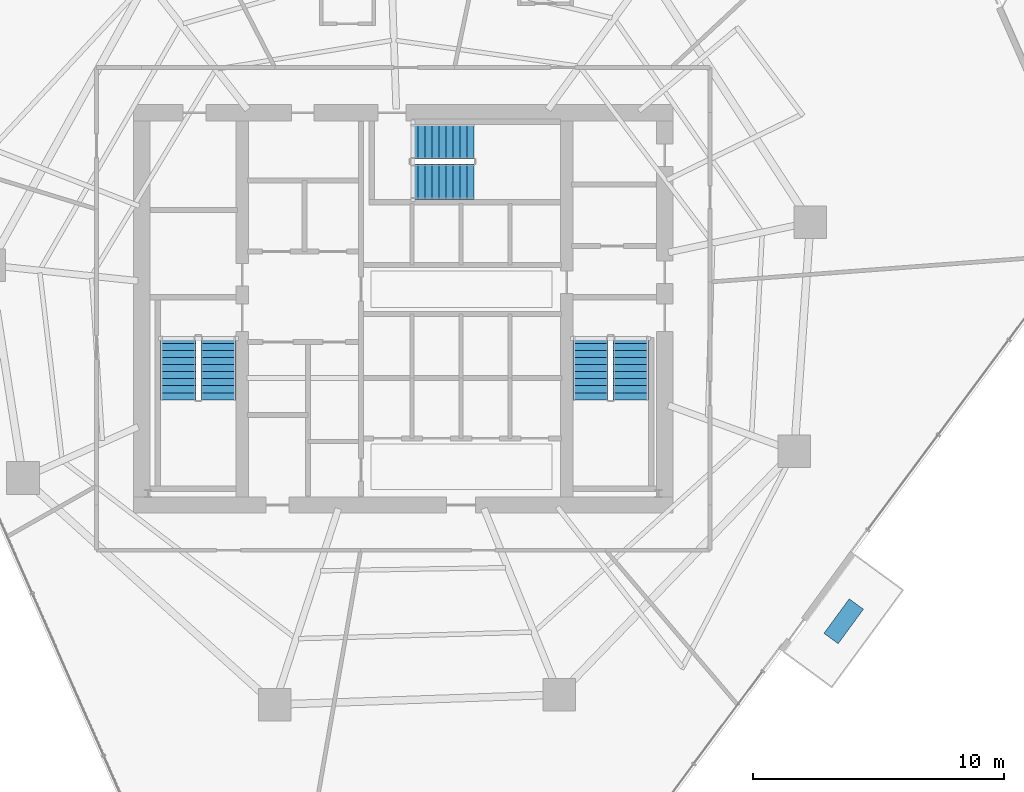
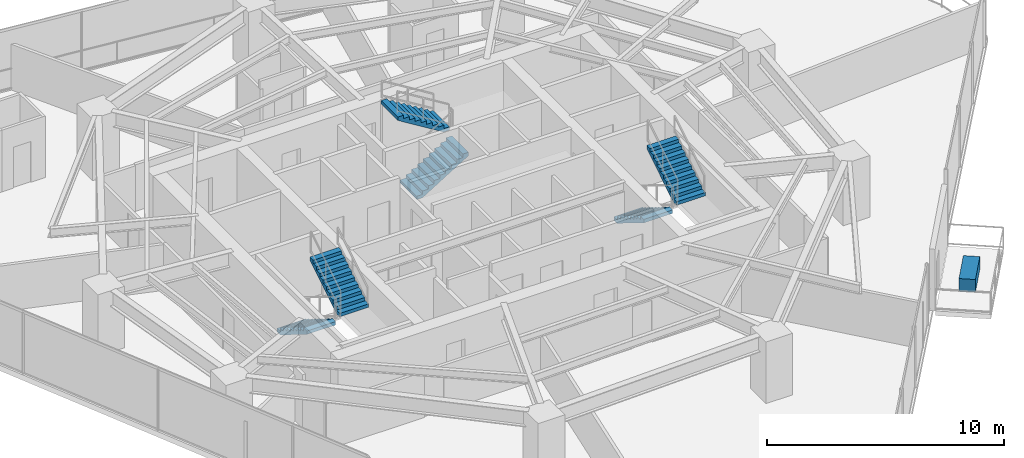
# One storey, part 26 of 28: 6 stair flights, 1 discrete accessory, 3 elements without a shape of their own.
"""IFC4 building model written with IfcOpenShell, lengths in metres."""

from ifc_helpers import new_model, si_unit, direction, frame, origin, origin_2d, place, context, subcontext, project, spatial, polyline, rectangle, outline, extrude, material, type_object, element, aggregate, save


model = new_model("IFC4")

# Units and contexts
model_context = context("Model", 3, precision=1e-05, world=origin(), true_north=direction((0.0, 1.0)))
body_context = subcontext(model_context, "Body", "Model", "MODEL_VIEW")
ifc_project = project(units=[si_unit("LENGTHUNIT", "METRE"), si_unit("AREAUNIT", "SQUARE_METRE"), si_unit("VOLUMEUNIT", "CUBIC_METRE"), si_unit("PLANEANGLEUNIT", "RADIAN"), si_unit("MASSUNIT", "GRAM", prefix="KILO")], contexts=[model_context])

# Site, building, storey
site_placement = place(None, origin())
site = spatial("IfcSite", under=ifc_project, at=site_placement, CompositionType="ELEMENT")
building_placement = place(site_placement, origin())
building = spatial("IfcBuilding", under=site, at=building_placement, Name="Qarnah Convention Tower", CompositionType="ELEMENT")
storey_placement = place(building_placement, frame((0.0, 0.0, 44.25)))
storey = spatial("IfcBuildingStorey", under=building, at=storey_placement, Name="L10", CompositionType="ELEMENT", Elevation=44.25)

# Stair, stair flights
ifc_material_1 = material(Name="Concrete C50/60", Category="concrete")
stair_type = type_object("IfcStairType", Name="STR-HTL", PredefinedType="HALF_TURN_STAIR", material=ifc_material_1)
stair_1_placement = place(storey_placement, origin())
stair_1 = element("IfcStair", 1, at=stair_1_placement, inside=storey, type_object=stair_type, Name="L10 Core exit stair ST-1", PredefinedType="HALF_TURN_STAIR")
stair_flight_type = type_object("IfcStairFlightType", Name="FLT-HTL", PredefinedType="STRAIGHT", material=ifc_material_1)
stair_flight_1_placement = place(storey_placement, frame((28.25, 25.300048828125, 0.0), z_axis=(0.0, 0.0, 1.0), x_axis=(0.0, -1.0, 0.0)))
stair_flight_1 = element("IfcStairFlight", 2, at=stair_flight_1_placement, type_object=stair_flight_type, Name="ST-1 flight 1", NumberOfRisers=10, NumberOfTreads=9, PredefinedType="STRAIGHT", RiserHeight=0.1725, TreadLength=0.28, context=body_context, shape_type="SweptSolid", body=[
    extrude(outline(polyline([(0.0, 0.0), (0.0, 0.172607421875), (0.280029296875, 0.172607421875), (0.280029296875, 0.344970703125), (0.56005859375, 0.344970703125), (0.56005859375, 0.517578125), (0.840087890625, 0.517578125), (0.840087890625, 0.68994140625), (1.1201171875, 0.68994140625), (1.1201171875, 0.862548828125), (1.39990234375, 0.862548828125), (1.39990234375, 1.034912109375), (1.679931640625, 1.034912109375), (1.679931640625, 1.20751953125), (1.9599609375, 1.20751953125), (1.9599609375, 1.3798828125), (2.239990234375, 1.3798828125), (2.239990234375, 1.552490234375), (2.52001953125, 1.552490234375), (2.52001953125, 1.72509765625), (2.52001953125, 1.37646484375), (0.285888671875, 0.0), (0.0, 0.0)])), frame((0.0, 0.699951171875, 0.0), z_axis=(0.0, -1.0, 0.0), x_axis=(1.0, 0.0, 0.0)), (0.0, 0.0, 1.0), 1.39990234375),
])
stair_flight_2_placement = place(storey_placement, frame((29.85009765625, 22.780029296875, 1.72509765625), z_axis=(0.0, 0.0, 1.0), x_axis=(0.0, 1.0, 0.0)))
stair_flight_2 = element("IfcStairFlight", 3, at=stair_flight_2_placement, type_object=stair_flight_type, Name="ST-1 flight 2", NumberOfRisers=10, NumberOfTreads=9, PredefinedType="STRAIGHT", RiserHeight=0.1725, TreadLength=0.28, context=body_context, shape_type="SweptSolid", body=[
    extrude(outline(polyline([(0.0, 0.0), (0.0, 0.172607421875), (0.280029296875, 0.172607421875), (0.280029296875, 0.344970703125), (0.56005859375, 0.344970703125), (0.56005859375, 0.517578125), (0.840087890625, 0.517578125), (0.840087890625, 0.68994140625), (1.1201171875, 0.68994140625), (1.1201171875, 0.862548828125), (1.39990234375, 0.862548828125), (1.39990234375, 1.034912109375), (1.679931640625, 1.034912109375), (1.679931640625, 1.20751953125), (1.9599609375, 1.20751953125), (1.9599609375, 1.3798828125), (2.239990234375, 1.3798828125), (2.239990234375, 1.552490234375), (2.52001953125, 1.552490234375), (2.52001953125, 1.72509765625), (2.52001953125, 1.37646484375), (0.285888671875, 0.0), (0.0, 0.0)])), frame((0.0, 0.699951171875, 0.0), z_axis=(0.0, -1.0, 0.0), x_axis=(1.0, 0.0, 0.0)), (0.0, 0.0, 1.0), 1.39990234375),
])
aggregate(stair_1, [stair_flight_1, stair_flight_2])

stair_2_placement = place(storey_placement, origin())
stair_2 = element("IfcStair", 4, at=stair_2_placement, inside=storey, type_object=stair_type, Name="L10 Core exit stair ST-2", PredefinedType="HALF_TURN_STAIR")
stair_flight_3_placement = place(storey_placement, frame((44.64990234375, 25.300048828125, 0.0), z_axis=(0.0, 0.0, 1.0), x_axis=(0.0, -1.0, 0.0)))
stair_flight_3 = element("IfcStairFlight", 5, at=stair_flight_3_placement, type_object=stair_flight_type, Name="ST-2 flight 1", NumberOfRisers=10, NumberOfTreads=9, PredefinedType="STRAIGHT", RiserHeight=0.1725, TreadLength=0.28, context=body_context, shape_type="SweptSolid", body=[
    extrude(outline(polyline([(0.0, 0.0), (0.0, 0.172607421875), (0.280029296875, 0.172607421875), (0.280029296875, 0.344970703125), (0.56005859375, 0.344970703125), (0.56005859375, 0.517578125), (0.840087890625, 0.517578125), (0.840087890625, 0.68994140625), (1.1201171875, 0.68994140625), (1.1201171875, 0.862548828125), (1.39990234375, 0.862548828125), (1.39990234375, 1.034912109375), (1.679931640625, 1.034912109375), (1.679931640625, 1.20751953125), (1.9599609375, 1.20751953125), (1.9599609375, 1.3798828125), (2.239990234375, 1.3798828125), (2.239990234375, 1.552490234375), (2.52001953125, 1.552490234375), (2.52001953125, 1.72509765625), (2.52001953125, 1.37646484375), (0.285888671875, 0.0), (0.0, 0.0)])), frame((0.0, 0.699951171875, 0.0), z_axis=(0.0, -1.0, 0.0), x_axis=(1.0, 0.0, 0.0)), (0.0, 0.0, 1.0), 1.39990234375),
])
stair_flight_4_placement = place(storey_placement, frame((46.25, 22.780029296875, 1.72509765625), z_axis=(0.0, 0.0, 1.0), x_axis=(0.0, 1.0, 0.0)))
stair_flight_4 = element("IfcStairFlight", 6, at=stair_flight_4_placement, type_object=stair_flight_type, Name="ST-2 flight 2", NumberOfRisers=10, NumberOfTreads=9, PredefinedType="STRAIGHT", RiserHeight=0.1725, TreadLength=0.28, context=body_context, shape_type="SweptSolid", body=[
    extrude(outline(polyline([(0.0, 0.0), (0.0, 0.172607421875), (0.280029296875, 0.172607421875), (0.280029296875, 0.344970703125), (0.56005859375, 0.344970703125), (0.56005859375, 0.517578125), (0.840087890625, 0.517578125), (0.840087890625, 0.68994140625), (1.1201171875, 0.68994140625), (1.1201171875, 0.862548828125), (1.39990234375, 0.862548828125), (1.39990234375, 1.034912109375), (1.679931640625, 1.034912109375), (1.679931640625, 1.20751953125), (1.9599609375, 1.20751953125), (1.9599609375, 1.3798828125), (2.239990234375, 1.3798828125), (2.239990234375, 1.552490234375), (2.52001953125, 1.552490234375), (2.52001953125, 1.72509765625), (2.52001953125, 1.37646484375), (0.285888671875, 0.0), (0.0, 0.0)])), frame((0.0, 0.699951171875, 0.0), z_axis=(0.0, -1.0, 0.0), x_axis=(1.0, 0.0, 0.0)), (0.0, 0.0, 1.0), 1.39990234375),
])
aggregate(stair_2, [stair_flight_3, stair_flight_4])

stair_3_placement = place(storey_placement, origin())
stair_3 = element("IfcStair", 7, at=stair_3_placement, inside=storey, type_object=stair_type, Name="L10 Core exit stair ST-3", PredefinedType="HALF_TURN_STAIR")
stair_flight_5_placement = place(storey_placement, frame((37.5, 31.449951171875, 0.0), z_axis=(0.0, 0.0, 1.0), x_axis=(1.0, 0.0, 0.0)))
stair_flight_5 = element("IfcStairFlight", 8, at=stair_flight_5_placement, type_object=stair_flight_type, Name="ST-3 flight 1", NumberOfRisers=10, NumberOfTreads=9, PredefinedType="STRAIGHT", RiserHeight=0.1725, TreadLength=0.28, context=body_context, shape_type="SweptSolid", body=[
    extrude(outline(polyline([(0.0, 0.0), (0.0, 0.172607421875), (0.280029296875, 0.172607421875), (0.280029296875, 0.344970703125), (0.56005859375, 0.344970703125), (0.56005859375, 0.517578125), (0.840087890625, 0.517578125), (0.840087890625, 0.68994140625), (1.1201171875, 0.68994140625), (1.1201171875, 0.862548828125), (1.39990234375, 0.862548828125), (1.39990234375, 1.034912109375), (1.679931640625, 1.034912109375), (1.679931640625, 1.20751953125), (1.9599609375, 1.20751953125), (1.9599609375, 1.3798828125), (2.239990234375, 1.3798828125), (2.239990234375, 1.552490234375), (2.52001953125, 1.552490234375), (2.52001953125, 1.72509765625), (2.52001953125, 1.37646484375), (0.285888671875, 0.0), (0.0, 0.0)])), frame((0.0, 0.699951171875, 0.0), z_axis=(0.0, -1.0, 0.0), x_axis=(1.0, 0.0, 0.0)), (0.0, 0.0, 1.0), 1.39990234375),
])
stair_flight_6_placement = place(storey_placement, frame((40.02001953125, 33.050048828125, 1.72509765625), z_axis=(0.0, 0.0, 1.0), x_axis=(-1.0, 0.0, 0.0)))
stair_flight_6 = element("IfcStairFlight", 9, at=stair_flight_6_placement, type_object=stair_flight_type, Name="ST-3 flight 2", NumberOfRisers=10, NumberOfTreads=9, PredefinedType="STRAIGHT", RiserHeight=0.1725, TreadLength=0.28, context=body_context, shape_type="SweptSolid", body=[
    extrude(outline(polyline([(0.0, 0.0), (0.0, 0.172607421875), (0.280029296875, 0.172607421875), (0.280029296875, 0.344970703125), (0.56005859375, 0.344970703125), (0.56005859375, 0.517578125), (0.840087890625, 0.517578125), (0.840087890625, 0.68994140625), (1.1201171875, 0.68994140625), (1.1201171875, 0.862548828125), (1.39990234375, 0.862548828125), (1.39990234375, 1.034912109375), (1.679931640625, 1.034912109375), (1.679931640625, 1.20751953125), (1.9599609375, 1.20751953125), (1.9599609375, 1.3798828125), (2.239990234375, 1.3798828125), (2.239990234375, 1.552490234375), (2.52001953125, 1.552490234375), (2.52001953125, 1.72509765625), (2.52001953125, 1.37646484375), (0.285888671875, 0.0), (0.0, 0.0)])), frame((0.0, 0.699951171875, 0.0), z_axis=(0.0, -1.0, 0.0), x_axis=(1.0, 0.0, 0.0)), (0.0, 0.0, 1.0), 1.39990234375),
])
aggregate(stair_3, [stair_flight_5, stair_flight_6])

# Discrete accessory
ifc_material_2 = material(Name="Precast concrete C45/55", Category="concrete")
discrete_accessory_type = type_object("IfcDiscreteAccessoryType", Name="ACC-PLANTER-900", PredefinedType="USERDEFINED", material=ifc_material_2)
discrete_accessory_placement = place(storey_placement, frame((54.714111328125, 13.97412109375, 0.0), z_axis=(0.0, 0.0, 1.0), x_axis=(0.591309648364, 0.806444604267, 0.0)))
element("IfcDiscreteAccessory", 10, at=discrete_accessory_placement, inside=storey, type_object=discrete_accessory_type, Name="L10 irrigated desert balcony PLANTER VN-L10", ObjectType="PLANTER", PredefinedType="USERDEFINED", context=body_context, shape_type="SweptSolid", body=[
    extrude(rectangle(XDim=1.699951171875, YDim=0.699951171875, at=origin_2d()), origin(), (0.0, 0.0, 1.0), 0.64990234375),
])

save(model, "model.ifc")
